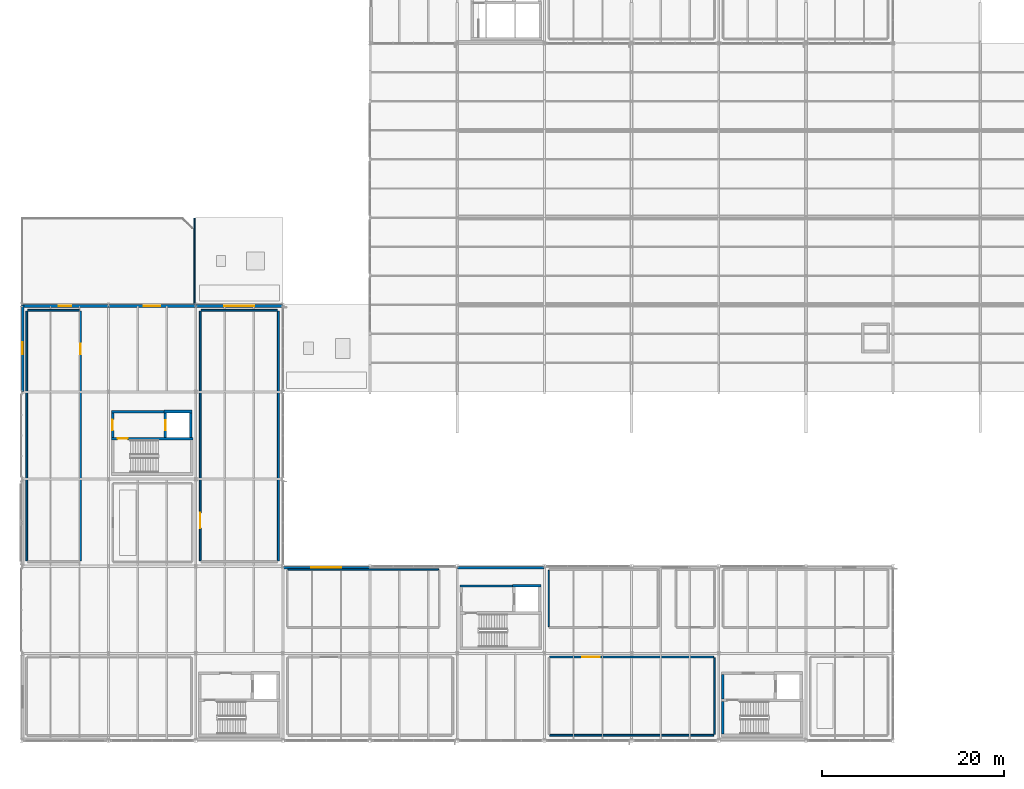
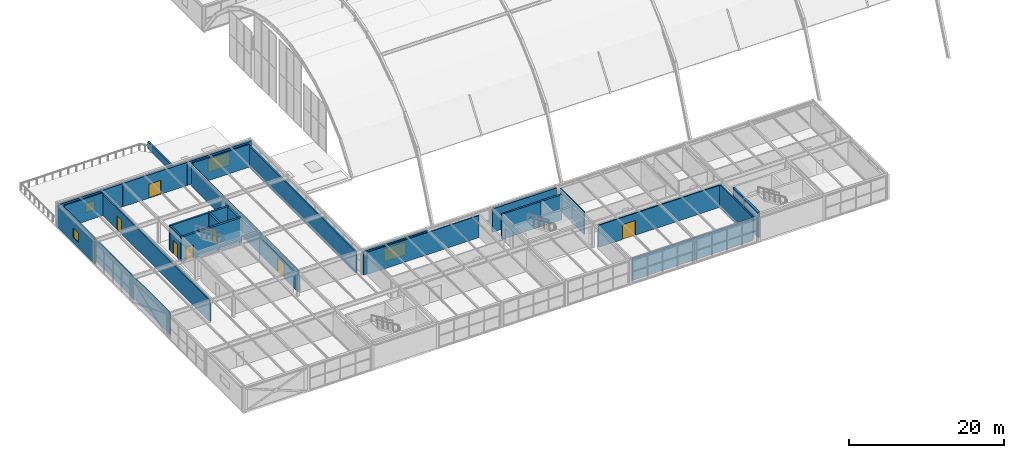
# One storey, part 117 of 126: 28 walls, 7 doors, 4 windows, 11 openings.
"""IFC4 building model written with IfcOpenShell, lengths in metres."""

from ifc_helpers import new_model, si_unit, direction, frame, frame_2d, origin, place, context, subcontext, project, spatial, rectangle, extrude, material, layer, layer_set, type_object, element, fill, save


model = new_model("IFC4")

# Units and contexts
model_context = context("Model", 3, precision=1e-05, world=origin(), true_north=direction((0.0, 1.0)))
body_context = subcontext(model_context, "Body", "Model", "MODEL_VIEW")
ifc_project = project(units=[si_unit("LENGTHUNIT", "METRE"), si_unit("AREAUNIT", "SQUARE_METRE"), si_unit("VOLUMEUNIT", "CUBIC_METRE"), si_unit("PLANEANGLEUNIT", "RADIAN"), si_unit("MASSUNIT", "GRAM", prefix="KILO")], contexts=[model_context])

# Site, building, storey
site_placement = place(None, origin())
site = spatial("IfcSite", under=ifc_project, at=site_placement, CompositionType="ELEMENT")
building_placement = place(site_placement, origin())
building = spatial("IfcBuilding", under=site, at=building_placement, Name="Coralgate Yard Interchange", CompositionType="ELEMENT")
storey_placement = place(building_placement, frame((0.0, 0.0, 10.5)))
storey = spatial("IfcBuildingStorey", under=building, at=storey_placement, Name="L02", CompositionType="ELEMENT", Elevation=10.5)

# Wall, opening, door
ifc_material_1 = material(Name="Concrete C40/50", Category="concrete")
ifc_layer_1 = layer(ifc_material_1, 0.300048828125)
ifc_layer_set_1 = layer_set([ifc_layer_1], Name="Concrete C40/50")
wall_type_1 = type_object("IfcWallType", Name="WAL-CW300", PredefinedType="SHEAR", material=ifc_layer_set_1)
wall_1_placement = place(storey_placement, frame((18.89990234375, 33.25, 0.0), z_axis=(0.0, 0.0, 1.0), x_axis=(-1.0, 0.0, 0.0)))
wall_1 = element("IfcWall", 1, at=wall_1_placement, inside=storey, type_object=wall_type_1, Name="C1 L02 stair north shear wall", PredefinedType="SHEAR", context=body_context, shape_type="SweptSolid", body=[
    extrude(rectangle(XDim=9.0, YDim=0.300048828125, at=frame_2d((4.5, 0.0))), origin(), (0.0, 0.0, 1.0), 3.949951171875),
])
opening_1_placement = place(wall_1_placement, frame((7.199951171875, 0.0, 0.0)))
opening_1 = element("IfcOpeningElement", 2, at=opening_1_placement, cuts=wall_1, Name="Opening FD-1", PredefinedType="OPENING", context=body_context, shape_type="SweptSolid", body=[
    extrude(rectangle(XDim=1.10009765625, YDim=2.14990234375, at=frame_2d((0.550048828125, 1.074951171875))), frame((0.0, 0.159912109375, 0.0), z_axis=(0.0, -1.0, 0.0), x_axis=(1.0, 0.0, 0.0)), (0.0, 0.0, 1.0), 0.320068359375),
])
ifc_material_2 = material(Name="Powder-coated steel fire door assembly", Category="steel")
door_type_1 = type_object("IfcDoorType", Name="DOR-FD-1", OperationType="NOTDEFINED", PredefinedType="DOOR", material=ifc_material_2)
door_1_placement = place(opening_1_placement, frame((1.10009765625, 0.0, 0.0), z_axis=(0.0, 0.0, 1.0), x_axis=(-1.0, 0.0, 0.0)))
door_1 = element("IfcDoor", 3, at=door_1_placement, inside=storey, type_object=door_type_1, Name="C1 L02 stair fire door", OperationType="SINGLE_SWING_LEFT", OverallHeight=2.14990234375, OverallWidth=1.10009765625, PredefinedType="DOOR", context=body_context, shape_type="SweptSolid", body=[
    extrude(rectangle(XDim=1.10009765625, YDim=2.14990234375, at=frame_2d((0.550048828125, 1.074951171875))), frame((0.0, 0.02490234375, 0.0), z_axis=(0.0, -1.0, 0.0), x_axis=(1.0, 0.0, 0.0)), (0.0, 0.0, 1.0), 0.050048828125),
])
fill(opening_1, door_1)

wall_2_placement = place(storey_placement, frame((15.85009765625, 36.10009765625, 0.0), z_axis=(0.0, 0.0, 1.0), x_axis=(0.0, -1.0, 0.0)))
wall_2 = element("IfcWall", 4, at=wall_2_placement, inside=storey, type_object=wall_type_1, Name="C1 L02 lift front shear wall", PredefinedType="SHEAR", context=body_context, shape_type="SweptSolid", body=[
    extrude(rectangle(XDim=2.7001953125, YDim=0.300048828125, at=frame_2d((1.35009765625, 0.0))), origin(), (0.0, 0.0, 1.0), 3.949951171875),
])
opening_2_placement = place(wall_2_placement, frame((0.800048828125, 0.0, 0.0)))
opening_2 = element("IfcOpeningElement", 5, at=opening_2_placement, cuts=wall_2, Name="Opening LD-1", PredefinedType="OPENING", context=body_context, shape_type="SweptSolid", body=[
    extrude(rectangle(XDim=1.10009765625, YDim=2.10009765625, at=frame_2d((0.550048828125, 1.050048828125))), frame((0.0, 0.159912109375, 0.0), z_axis=(0.0, -1.0, 0.0), x_axis=(1.0, 0.0, 0.0)), (0.0, 0.0, 1.0), 0.320068359375),
])
ifc_material_3 = material(Name="Brushed stainless steel firefighting lift landing door", Category="steel")
door_type_2 = type_object("IfcDoorType", Name="DOR-LD-1", OperationType="DOUBLE_DOOR_SLIDING", PredefinedType="DOOR", material=ifc_material_3)
door_2_placement = place(opening_2_placement, frame((1.10009765625, 0.0, 0.0), z_axis=(0.0, 0.0, 1.0), x_axis=(-1.0, 0.0, 0.0)))
door_2 = element("IfcDoor", 6, at=door_2_placement, inside=storey, type_object=door_type_2, Name="FFL-01 L02 sliding lift landing door", OperationType="DOUBLE_DOOR_SLIDING", OverallHeight=2.10009765625, OverallWidth=1.10009765625, PredefinedType="DOOR", context=body_context, shape_type="SweptSolid", body=[
    extrude(rectangle(XDim=1.10009765625, YDim=2.10009765625, at=frame_2d((0.550048828125, 1.050048828125))), frame((0.0, 0.02490234375, 0.0), z_axis=(0.0, -1.0, 0.0), x_axis=(1.0, 0.0, 0.0)), (0.0, 0.0, 1.0), 0.050048828125),
])
fill(opening_2, door_2)

# Walls
wall_3_placement = place(storey_placement, frame((18.64990234375, 33.39990234375, 0.0), z_axis=(0.0, 0.0, 1.0), x_axis=(0.0, 1.0, 0.0)))
element("IfcWall", 7, at=wall_3_placement, inside=storey, type_object=wall_type_1, Name="C1 L02 lift rear shear wall", PredefinedType="SHEAR", context=body_context, shape_type="SweptSolid", body=[
    extrude(rectangle(XDim=2.7001953125, YDim=0.300048828125, at=frame_2d((1.35009765625, 0.0))), origin(), (0.0, 0.0, 1.0), 3.949951171875),
])
wall_4_placement = place(storey_placement, frame((15.699951171875, 36.25, 0.0), z_axis=(0.0, 0.0, 1.0), x_axis=(1.0, 0.0, 0.0)))
element("IfcWall", 8, at=wall_4_placement, inside=storey, type_object=wall_type_1, Name="C1 L02 lift north shear wall", PredefinedType="SHEAR", context=body_context, shape_type="SweptSolid", body=[
    extrude(rectangle(XDim=3.10009765625, YDim=0.300048828125, at=frame_2d((1.550048828125, 0.0))), origin(), (0.0, 0.0, 1.0), 3.949951171875),
])
wall_5_placement = place(storey_placement, frame((54.10009765625, 17.050048828125, 0.0), z_axis=(0.0, 0.0, 1.0), x_axis=(1.0, 0.0, 0.0)))
element("IfcWall", 9, at=wall_5_placement, inside=storey, type_object=wall_type_1, Name="C2 L02 lift north shear wall", PredefinedType="SHEAR", context=body_context, shape_type="SweptSolid", body=[
    extrude(rectangle(XDim=3.099853515625, YDim=0.300048828125, at=frame_2d((1.5498046875, 0.0))), origin(), (0.0, 0.0, 1.0), 3.949951171875),
])
wall_6_placement = place(storey_placement, frame((77.25, 0.719970703125, 0.0), z_axis=(0.0, 0.0, 1.0), x_axis=(0.0, 1.0, 0.0)))
element("IfcWall", 10, at=wall_6_placement, inside=storey, type_object=wall_type_1, Name="C4 L02 stair west shear wall", PredefinedType="SHEAR", context=body_context, shape_type="SweptSolid", body=[
    extrude(rectangle(XDim=3.580078125, YDim=0.300048828125, at=frame_2d((1.7900390625, 0.0))), origin(), (0.0, 0.0, 1.0), 3.949951171875),
])

# Wall, opening, window
ifc_material_4 = material(Name="Precast concrete C40/50", Category="concrete")
ifc_layer_2 = layer(ifc_material_4, 0.280029296875)
ifc_layer_set_2 = layer_set([ifc_layer_2], Name="Precast concrete C40/50")
wall_type_2 = type_object("IfcWallType", Name="WAL-EW-280", PredefinedType="SOLIDWALL", material=ifc_layer_set_2)
wall_7_placement = place(storey_placement, frame((0.139892578125, 38.419921875, 0.0), z_axis=(0.0, 0.0, 1.0), x_axis=(0.0, 1.0, 0.0)))
wall_7 = element("IfcWall", 11, at=wall_7_placement, inside=storey, type_object=wall_type_2, Name="L02 exterior coastal wall W 0-4", PredefinedType="SOLIDWALL", context=body_context, shape_type="SweptSolid", body=[
    extrude(rectangle(XDim=9.56005859375, YDim=0.280029296875, at=frame_2d((4.780029296875, 0.0))), origin(), (0.0, 0.0, 1.0), 3.492919921875),
])
opening_3_placement = place(wall_7_placement, frame((4.10498046875, 0.0, 0.89990234375)))
opening_3 = element("IfcOpeningElement", 12, at=opening_3_placement, cuts=wall_7, Name="Opening W-15", PredefinedType="OPENING", context=body_context, shape_type="SweptSolid", body=[
    extrude(rectangle(XDim=1.35009765625, YDim=1.5, at=frame_2d((0.675048828125, 0.75))), frame((0.0, 0.14990234375, 0.0), z_axis=(0.0, -1.0, 0.0), x_axis=(1.0, 0.0, 0.0)), (0.0, 0.0, 1.0), 0.300048828125),
])
ifc_material_5 = material(Name="Thermally broken anodised aluminium and solar-control low-E glass", Category="aluminium")
window_type_1 = type_object("IfcWindowType", Name="WIN-W-15", PartitioningType="SINGLE_PANEL", PredefinedType="WINDOW", material=ifc_material_5)
window_1_placement = place(opening_3_placement, origin())
window_1 = element("IfcWindow", 13, at=window_1_placement, inside=storey, type_object=window_type_1, Name="L02 coastal facade window W-0-4", OverallHeight=1.5, OverallWidth=1.35009765625, PartitioningType="SINGLE_PANEL", PredefinedType="WINDOW", context=body_context, shape_type="SweptSolid", body=[
    extrude(rectangle(XDim=1.35009765625, YDim=1.5, at=frame_2d((0.675048828125, 0.75))), frame((0.0, 0.030029296875, 0.0), z_axis=(0.0, -1.0, 0.0), x_axis=(1.0, 0.0, 0.0)), (0.0, 0.0, 1.0), 0.06005859375),
])
fill(opening_3, window_1)

wall_8_placement = place(storey_placement, frame((0.02001953125, 47.860107421875, 0.0), z_axis=(0.0, 0.0, 1.0), x_axis=(1.0, 0.0, 0.0)))
wall_8 = element("IfcWall", 14, at=wall_8_placement, inside=storey, type_object=wall_type_2, Name="L02 exterior coastal wall N 0-4", PredefinedType="SOLIDWALL", context=body_context, shape_type="SweptSolid", body=[
    extrude(rectangle(XDim=9.56005859375, YDim=0.280029296875, at=frame_2d((4.780029296875, 0.0))), origin(), (0.0, 0.0, 1.0), 3.659912109375),
])
opening_4_placement = place(wall_8_placement, frame((4.10498046875, 0.0, 0.89990234375)))
opening_4 = element("IfcOpeningElement", 15, at=opening_4_placement, cuts=wall_8, Name="Opening W-15", PredefinedType="OPENING", context=body_context, shape_type="SweptSolid", body=[
    extrude(rectangle(XDim=1.35009765625, YDim=1.5, at=frame_2d((0.675048828125, 0.75))), frame((0.0, 0.14990234375, 0.0), z_axis=(0.0, -1.0, 0.0), x_axis=(1.0, 0.0, 0.0)), (0.0, 0.0, 1.0), 0.300048828125),
])
window_2_placement = place(opening_4_placement, origin())
window_2 = element("IfcWindow", 16, at=window_2_placement, inside=storey, type_object=window_type_1, Name="L02 coastal facade window N-0-4", OverallHeight=1.5, OverallWidth=1.35009765625, PartitioningType="SINGLE_PANEL", PredefinedType="WINDOW", context=body_context, shape_type="SweptSolid", body=[
    extrude(rectangle(XDim=1.35009765625, YDim=1.5, at=frame_2d((0.675048828125, 0.75))), frame((0.0, 0.030029296875, 0.0), z_axis=(0.0, -1.0, 0.0), x_axis=(1.0, 0.0, 0.0)), (0.0, 0.0, 1.0), 0.06005859375),
])
fill(opening_4, window_2)

# Wall, opening, door
wall_9_placement = place(storey_placement, frame((9.6201171875, 47.860107421875, 0.0), z_axis=(0.0, 0.0, 1.0), x_axis=(1.0, 0.0, 0.0)))
wall_9 = element("IfcWall", 17, at=wall_9_placement, inside=storey, type_object=wall_type_2, Name="L02 exterior coastal wall N 1-4", PredefinedType="SOLIDWALL", context=body_context, shape_type="SweptSolid", body=[
    extrude(rectangle(XDim=9.559814453125, YDim=0.280029296875, at=frame_2d((4.77978515625, 0.0))), origin(), (0.0, 0.0, 1.0), 3.659912109375),
])
opening_5_placement = place(wall_9_placement, frame((3.8798828125, 0.0, 0.0)))
opening_5 = element("IfcOpeningElement", 18, at=opening_5_placement, cuts=wall_9, Name="Opening VD-1", PredefinedType="OPENING", context=body_context, shape_type="SweptSolid", body=[
    extrude(rectangle(XDim=1.800048828125, YDim=2.199951171875, at=frame_2d((0.89990234375, 1.10009765625))), frame((0.0, 0.14990234375, 0.0), z_axis=(0.0, -1.0, 0.0), x_axis=(1.0, 0.0, 0.0)), (0.0, 0.0, 1.0), 0.300048828125),
])
ifc_material_6 = material(Name="Thermally broken aluminium coastal veranda double door", Category="aluminium")
door_type_3 = type_object("IfcDoorType", Name="DOR-VD-1", OperationType="NOTDEFINED", PredefinedType="DOOR", material=ifc_material_6)
door_3_placement = place(opening_5_placement, origin())
door_3 = element("IfcDoor", 19, at=door_3_placement, inside=storey, type_object=door_type_3, Name="L02 coastal veranda double door 1-4", OperationType="DOUBLE_DOOR_SINGLE_SWING", OverallHeight=2.199951171875, OverallWidth=1.800048828125, PredefinedType="DOOR", context=body_context, shape_type="SweptSolid", body=[
    extrude(rectangle(XDim=1.800048828125, YDim=2.199951171875, at=frame_2d((0.89990234375, 1.10009765625))), frame((0.0, 0.02490234375, 0.0), z_axis=(0.0, -1.0, 0.0), x_axis=(1.0, 0.0, 0.0)), (0.0, 0.0, 1.0), 0.050048828125),
])
fill(opening_5, door_3)

# Wall, opening, window
wall_10_placement = place(storey_placement, frame((19.219970703125, 47.860107421875, 0.0), z_axis=(0.0, 0.0, 1.0), x_axis=(1.0, 0.0, 0.0)))
wall_10 = element("IfcWall", 20, at=wall_10_placement, inside=storey, type_object=wall_type_2, Name="L02 exterior coastal wall N 2-4", PredefinedType="SOLIDWALL", context=body_context, shape_type="SweptSolid", body=[
    extrude(rectangle(XDim=9.56005859375, YDim=0.280029296875, at=frame_2d((4.780029296875, 0.0))), origin(), (0.0, 0.0, 1.0), 3.659912109375),
])
opening_6_placement = place(wall_10_placement, frame((3.1298828125, 0.0, 0.89990234375)))
opening_6 = element("IfcOpeningElement", 21, at=opening_6_placement, cuts=wall_10, Name="Opening W-21", PredefinedType="OPENING", context=body_context, shape_type="SweptSolid", body=[
    extrude(rectangle(XDim=3.300048828125, YDim=2.10009765625, at=frame_2d((1.64990234375, 1.050048828125))), frame((0.0, 0.14990234375, 0.0), z_axis=(0.0, -1.0, 0.0), x_axis=(1.0, 0.0, 0.0)), (0.0, 0.0, 1.0), 0.300048828125),
])
window_type_2 = type_object("IfcWindowType", Name="WIN-W-21", PartitioningType="SINGLE_PANEL", PredefinedType="WINDOW", material=ifc_material_5)
window_3_placement = place(opening_6_placement, origin())
window_3 = element("IfcWindow", 22, at=window_3_placement, inside=storey, type_object=window_type_2, Name="L02 coastal facade window N-2-4", OverallHeight=2.10009765625, OverallWidth=3.300048828125, PartitioningType="SINGLE_PANEL", PredefinedType="WINDOW", context=body_context, shape_type="SweptSolid", body=[
    extrude(rectangle(XDim=3.300048828125, YDim=2.10009765625, at=frame_2d((1.64990234375, 1.050048828125))), frame((0.0, 0.030029296875, 0.0), z_axis=(0.0, -1.0, 0.0), x_axis=(1.0, 0.0, 0.0)), (0.0, 0.0, 1.0), 0.06005859375),
])
fill(opening_6, window_3)

wall_11_placement = place(storey_placement, frame((28.820068359375, 19.06005859375, 0.0), z_axis=(0.0, 0.0, 1.0), x_axis=(1.0, 0.0, 0.0)))
wall_11 = element("IfcWall", 23, at=wall_11_placement, inside=storey, type_object=wall_type_2, Name="L02 exterior coastal wall N 3-1", PredefinedType="SOLIDWALL", context=body_context, shape_type="SweptSolid", body=[
    extrude(rectangle(XDim=9.559814453125, YDim=0.280029296875, at=frame_2d((4.77978515625, 0.0))), origin(), (0.0, 0.0, 1.0), 3.659912109375),
])
opening_7_placement = place(wall_11_placement, frame((3.1298828125, 0.0, 0.89990234375)))
opening_7 = element("IfcOpeningElement", 24, at=opening_7_placement, cuts=wall_11, Name="Opening W-21", PredefinedType="OPENING", context=body_context, shape_type="SweptSolid", body=[
    extrude(rectangle(XDim=3.300048828125, YDim=2.10009765625, at=frame_2d((1.64990234375, 1.050048828125))), frame((0.0, 0.14990234375, 0.0), z_axis=(0.0, -1.0, 0.0), x_axis=(1.0, 0.0, 0.0)), (0.0, 0.0, 1.0), 0.300048828125),
])
window_4_placement = place(opening_7_placement, origin())
window_4 = element("IfcWindow", 25, at=window_4_placement, inside=storey, type_object=window_type_2, Name="L02 coastal facade window N-3-1", OverallHeight=2.10009765625, OverallWidth=3.300048828125, PartitioningType="SINGLE_PANEL", PredefinedType="WINDOW", context=body_context, shape_type="SweptSolid", body=[
    extrude(rectangle(XDim=3.300048828125, YDim=2.10009765625, at=frame_2d((1.64990234375, 1.050048828125))), frame((0.0, 0.030029296875, 0.0), z_axis=(0.0, -1.0, 0.0), x_axis=(1.0, 0.0, 0.0)), (0.0, 0.0, 1.0), 0.06005859375),
])
fill(opening_7, window_4)

# Walls
wall_12_placement = place(storey_placement, frame((48.02001953125, 19.06005859375, 0.0), z_axis=(0.0, 0.0, 1.0), x_axis=(1.0, 0.0, 0.0)))
element("IfcWall", 26, at=wall_12_placement, inside=storey, type_object=wall_type_2, Name="L02 exterior coastal wall N 5-1", PredefinedType="SOLIDWALL", context=body_context, shape_type="SweptSolid", body=[
    extrude(rectangle(XDim=9.56005859375, YDim=0.280029296875, at=frame_2d((4.780029296875, 0.0))), origin(), (0.0, 0.0, 1.0), 3.659912109375),
])
ifc_layer_3 = layer(ifc_material_4, 0.18994140625)
ifc_layer_set_3 = layer_set([ifc_layer_3], Name="Precast concrete C40/50")
wall_type_3 = type_object("IfcWallType", Name="WAL-PR-190", PredefinedType="PARAPET", material=ifc_layer_set_3)
wall_13_placement = place(storey_placement, frame((19.06005859375, 48.10009765625, 0.0), z_axis=(0.0, 0.0, 1.0), x_axis=(0.0, 1.0, 0.0)))
element("IfcWall", 27, at=wall_13_placement, inside=storey, type_object=wall_type_3, Name="L02 veranda-to-roof precast parapet divider wall", PredefinedType="PARAPET", context=body_context, shape_type="SweptSolid", body=[
    extrude(rectangle(XDim=9.39990234375, YDim=0.18994140625, at=frame_2d((4.699951171875, 0.0))), origin(), (0.0, 0.0, 1.0), 1.10498046875),
])
ifc_material_7 = material(Name="Acoustic twin-stud office partition")
ifc_layer_4 = layer(ifc_material_7, 0.139892578125)
ifc_layer_set_4 = layer_set([ifc_layer_4], Name="Acoustic twin-stud office partition")
wall_type_4 = type_object("IfcWallType", Name="WAL-PW-140", PredefinedType="PARTITIONING", material=ifc_layer_set_4)
wall_14_placement = place(storey_placement, frame((29.340087890625, 18.830078125, 0.0), z_axis=(0.0, 0.0, 1.0), x_axis=(1.0, 0.0, 0.0)))
element("IfcWall", 28, at=wall_14_placement, inside=storey, type_object=wall_type_4, Name="Control Systems Engineering Support Room partition N", PredefinedType="PARTITIONING", context=body_context, shape_type="SweptSolid", body=[
    extrude(rectangle(XDim=16.619873046875, YDim=0.139892578125, at=frame_2d((8.31005859375, 0.0))), origin(), (0.0, 0.0, 1.0), 3.48291015625),
])
ifc_material_8 = material(Name="Moisture-resistant masonry washroom wall", Category="masonry")
ifc_layer_5 = layer(ifc_material_8, 0.14990234375)
ifc_layer_set_5 = layer_set([ifc_layer_5], Name="Moisture-resistant masonry washroom wall")
wall_type_5 = type_object("IfcWallType", Name="WAL-PW-150", PredefinedType="PLUMBINGWALL", material=ifc_layer_set_5)
wall_15_placement = place(storey_placement, frame((58.074951171875, 12.550048828125, 0.0), z_axis=(0.0, 0.0, 1.0), x_axis=(0.0, 1.0, 0.0)))
element("IfcWall", 29, at=wall_15_placement, inside=storey, type_object=wall_type_5, Name="L02 Operations Staff Washroom partition W", PredefinedType="PLUMBINGWALL", context=body_context, shape_type="SweptSolid", body=[
    extrude(rectangle(XDim=6.199951171875, YDim=0.14990234375, at=frame_2d((3.10009765625, 0.0))), origin(), (0.0, 0.0, 1.0), 3.590087890625),
])
ifc_material_9 = material(Name="Acoustic concrete blockwork", Category="masonry")
ifc_layer_6 = layer(ifc_material_9, 0.179931640625)
ifc_layer_set_6 = layer_set([ifc_layer_6], Name="Acoustic concrete blockwork")
wall_type_6 = type_object("IfcWallType", Name="WAL-PW-180", PredefinedType="PARTITIONING", material=ifc_layer_set_6)
wall_16_placement = place(storey_placement, frame((76.219970703125, 0.590087890625, 0.0), z_axis=(0.0, 0.0, 1.0), x_axis=(-1.0, 0.0, 0.0)))
element("IfcWall", 30, at=wall_16_placement, inside=storey, type_object=wall_type_6, Name="Emergency Incident Coordination Suite partition S", PredefinedType="PARTITIONING", context=body_context, shape_type="SweptSolid", body=[
    extrude(rectangle(XDim=18.0400390625, YDim=0.179931640625, at=frame_2d((9.02001953125, 0.0))), origin(), (0.0, 0.0, 1.0), 3.48291015625),
])

# Wall, opening, door
wall_17_placement = place(storey_placement, frame((58.179931640625, 9.2099609375, 0.0), z_axis=(0.0, 0.0, 1.0), x_axis=(1.0, 0.0, 0.0)))
wall_17 = element("IfcWall", 31, at=wall_17_placement, inside=storey, type_object=wall_type_6, Name="Emergency Incident Coordination Suite partition N", PredefinedType="PARTITIONING", context=body_context, shape_type="SweptSolid", body=[
    extrude(rectangle(XDim=18.0400390625, YDim=0.179931640625, at=frame_2d((9.02001953125, 0.0))), origin(), (0.0, 0.0, 1.0), 3.48291015625),
])
opening_8_placement = place(wall_17_placement, frame((3.60009765625, 0.0, 0.0)))
opening_8 = element("IfcOpeningElement", 32, at=opening_8_placement, cuts=wall_17, Name="Opening ID-21", PredefinedType="OPENING", context=body_context, shape_type="SweptSolid", body=[
    extrude(rectangle(XDim=1.89990234375, YDim=2.35009765625, at=frame_2d((0.949951171875, 1.175048828125))), frame((0.0, 0.099853515625, 0.0), z_axis=(0.0, -1.0, 0.0), x_axis=(1.0, 0.0, 0.0)), (0.0, 0.0, 1.0), 0.199951171875),
])
ifc_material_10 = material(Name="Briefing and conference double door")
door_type_4 = type_object("IfcDoorType", Name="DOR-ID-21", OperationType="NOTDEFINED", PredefinedType="DOOR", material=ifc_material_10)
door_4_placement = place(opening_8_placement, origin())
door_4 = element("IfcDoor", 33, at=door_4_placement, inside=storey, type_object=door_type_4, Name="Emergency Incident Coordination Suite door", OperationType="DOUBLE_DOOR_SINGLE_SWING", OverallHeight=2.35009765625, OverallWidth=1.89990234375, PredefinedType="DOOR", context=body_context, shape_type="SweptSolid", body=[
    extrude(rectangle(XDim=1.89990234375, YDim=2.35009765625, at=frame_2d((0.949951171875, 1.175048828125))), frame((0.0, 0.02490234375, 0.0), z_axis=(0.0, -1.0, 0.0), x_axis=(1.0, 0.0, 0.0)), (0.0, 0.0, 1.0), 0.050048828125),
])
fill(opening_8, door_4)

# Walls
wall_18_placement = place(storey_placement, frame((76.31005859375, 9.1201171875, 0.0), z_axis=(0.0, 0.0, 1.0), x_axis=(0.0, -1.0, 0.0)))
element("IfcWall", 34, at=wall_18_placement, inside=storey, type_object=wall_type_6, Name="Emergency Incident Coordination Suite partition E", PredefinedType="PARTITIONING", context=body_context, shape_type="SweptSolid", body=[
    extrude(rectangle(XDim=8.440185546875, YDim=0.179931640625, at=frame_2d((4.22021484375, 0.0))), origin(), (0.0, 0.0, 1.0), 3.590087890625),
])
ifc_material_11 = material(Name="Concrete blockwork masonry", Category="masonry")
ifc_layer_7 = layer(ifc_material_11, 0.199951171875)
ifc_layer_set_7 = layer_set([ifc_layer_7], Name="Concrete blockwork masonry")
wall_type_7 = type_object("IfcWallType", Name="WAL-PW-200", PredefinedType="PARTITIONING", material=ifc_layer_set_7)
wall_19_placement = place(storey_placement, frame((19.800048828125, 47.39990234375, 0.0), z_axis=(0.0, 0.0, 1.0), x_axis=(1.0, 0.0, 0.0)))
element("IfcWall", 35, at=wall_19_placement, inside=storey, type_object=wall_type_7, Name="Central Chiller and Air-Handling Plant Room partition N", PredefinedType="PARTITIONING", context=body_context, shape_type="SweptSolid", body=[
    extrude(rectangle(XDim=8.39990234375, YDim=0.199951171875, at=frame_2d((4.199951171875, 0.0))), origin(), (0.0, 0.0, 1.0), 3.590087890625),
])

# Wall, opening, door
wall_20_placement = place(storey_placement, frame((19.699951171875, 19.800048828125, 0.0), z_axis=(0.0, 0.0, 1.0), x_axis=(0.0, 1.0, 0.0)))
wall_20 = element("IfcWall", 36, at=wall_20_placement, inside=storey, type_object=wall_type_7, Name="Central Chiller and Air-Handling Plant Room partition W", PredefinedType="PARTITIONING", context=body_context, shape_type="SweptSolid", body=[
    extrude(rectangle(XDim=27.5, YDim=0.199951171875, at=frame_2d((13.75, 0.0))), origin(), (0.0, 0.0, 1.0), 3.33251953125),
])
opening_9_placement = place(wall_20_placement, frame((3.60009765625, 0.0, 0.0)))
opening_9 = element("IfcOpeningElement", 37, at=opening_9_placement, cuts=wall_20, Name="Opening ID-20", PredefinedType="OPENING", context=body_context, shape_type="SweptSolid", body=[
    extrude(rectangle(XDim=1.699951171875, YDim=2.300048828125, at=frame_2d((0.85009765625, 1.14990234375))), frame((0.0, 0.10986328125, 0.0), z_axis=(0.0, -1.0, 0.0), x_axis=(1.0, 0.0, 0.0)), (0.0, 0.0, 1.0), 0.219970703125),
])
ifc_material_12 = material(Name="Heavy plant room double fire door")
door_type_5 = type_object("IfcDoorType", Name="DOR-ID-20", OperationType="NOTDEFINED", PredefinedType="DOOR", material=ifc_material_12)
door_5_placement = place(opening_9_placement, origin())
door_5 = element("IfcDoor", 38, at=door_5_placement, inside=storey, type_object=door_type_5, Name="Central Chiller and Air-Handling Plant Room door", OperationType="DOUBLE_DOOR_SINGLE_SWING", OverallHeight=2.300048828125, OverallWidth=1.699951171875, PredefinedType="DOOR", context=body_context, shape_type="SweptSolid", body=[
    extrude(rectangle(XDim=1.699951171875, YDim=2.300048828125, at=frame_2d((0.85009765625, 1.14990234375))), frame((0.0, 0.02490234375, 0.0), z_axis=(0.0, -1.0, 0.0), x_axis=(1.0, 0.0, 0.0)), (0.0, 0.0, 1.0), 0.050048828125),
])
fill(opening_9, door_5)

# Walls
wall_21_placement = place(storey_placement, frame((28.300048828125, 47.300048828125, 0.0), z_axis=(0.0, 0.0, 1.0), x_axis=(0.0, -1.0, 0.0)))
element("IfcWall", 39, at=wall_21_placement, inside=storey, type_object=wall_type_7, Name="Central Chiller and Air-Handling Plant Room partition E", PredefinedType="PARTITIONING", context=body_context, shape_type="SweptSolid", body=[
    extrude(rectangle(XDim=27.5, YDim=0.199951171875, at=frame_2d((13.75, 0.0))), origin(), (0.0, 0.0, 1.0), 3.33251953125),
])
wall_22_placement = place(storey_placement, frame((0.699951171875, 47.39990234375, 0.0), z_axis=(0.0, 0.0, 1.0), x_axis=(1.0, 0.0, 0.0)))
element("IfcWall", 40, at=wall_22_placement, inside=storey, type_object=wall_type_7, Name="Control Room Redundant UPS Plant partition N", PredefinedType="PARTITIONING", context=body_context, shape_type="SweptSolid", body=[
    extrude(rectangle(XDim=5.699951171875, YDim=0.199951171875, at=frame_2d((2.85009765625, 0.0))), origin(), (0.0, 0.0, 1.0), 3.590087890625),
])
wall_23_placement = place(storey_placement, frame((0.60009765625, 19.800048828125, 0.0), z_axis=(0.0, 0.0, 1.0), x_axis=(0.0, 1.0, 0.0)))
element("IfcWall", 41, at=wall_23_placement, inside=storey, type_object=wall_type_7, Name="Control Room Redundant UPS Plant partition W", PredefinedType="PARTITIONING", context=body_context, shape_type="SweptSolid", body=[
    extrude(rectangle(XDim=27.5, YDim=0.199951171875, at=frame_2d((13.75, 0.0))), origin(), (0.0, 0.0, 1.0), 3.33251953125),
])

# Wall, opening, door
wall_24_placement = place(storey_placement, frame((6.5, 47.300048828125, 0.0), z_axis=(0.0, 0.0, 1.0), x_axis=(0.0, -1.0, 0.0)))
wall_24 = element("IfcWall", 42, at=wall_24_placement, inside=storey, type_object=wall_type_7, Name="Control Room Redundant UPS Plant partition E", PredefinedType="PARTITIONING", context=body_context, shape_type="SweptSolid", body=[
    extrude(rectangle(XDim=27.5, YDim=0.199951171875, at=frame_2d((13.75, 0.0))), origin(), (0.0, 0.0, 1.0), 3.33251953125),
])
opening_10_placement = place(wall_24_placement, frame((3.60009765625, 0.0, 0.0)))
opening_10 = element("IfcOpeningElement", 43, at=opening_10_placement, cuts=wall_24, Name="Opening ID-15", PredefinedType="OPENING", context=body_context, shape_type="SweptSolid", body=[
    extrude(rectangle(XDim=1.14990234375, YDim=2.199951171875, at=frame_2d((0.574951171875, 1.10009765625))), frame((0.0, 0.10986328125, 0.0), z_axis=(0.0, -1.0, 0.0), x_axis=(1.0, 0.0, 0.0)), (0.0, 0.0, 1.0), 0.219970703125),
])
ifc_material_13 = material(Name="Steel electrical riser and UPS door", Category="steel")
door_type_6 = type_object("IfcDoorType", Name="DOR-ID-15", OperationType="NOTDEFINED", PredefinedType="DOOR", material=ifc_material_13)
door_6_placement = place(opening_10_placement, origin())
door_6 = element("IfcDoor", 44, at=door_6_placement, inside=storey, type_object=door_type_6, Name="Control Room Redundant UPS Plant door", OperationType="SINGLE_SWING_RIGHT", OverallHeight=2.199951171875, OverallWidth=1.14990234375, PredefinedType="DOOR", context=body_context, shape_type="SweptSolid", body=[
    extrude(rectangle(XDim=1.14990234375, YDim=2.199951171875, at=frame_2d((0.574951171875, 1.10009765625))), frame((0.0, 0.02490234375, 0.0), z_axis=(0.0, -1.0, 0.0), x_axis=(1.0, 0.0, 0.0)), (0.0, 0.0, 1.0), 0.050048828125),
])
fill(opening_10, door_6)

# Wall
ifc_layer_8 = layer(ifc_material_1, 0.25)
ifc_layer_set_8 = layer_set([ifc_layer_8], Name="Concrete C40/50")
wall_type_8 = type_object("IfcWallType", Name="WAL-SW250", PredefinedType="SHEAR", material=ifc_layer_set_8)
wall_25_placement = place(storey_placement, frame((15.699951171875, 36.22509765625, 0.0), z_axis=(0.0, 0.0, 1.0), x_axis=(-1.0, 0.0, 0.0)))
element("IfcWall", 45, at=wall_25_placement, inside=storey, type_object=wall_type_8, Name="C1 L02 lobby north fire wall", PredefinedType="SHEAR", context=body_context, shape_type="SweptSolid", body=[
    extrude(rectangle(XDim=5.77490234375, YDim=0.25, at=frame_2d((2.887451171875, 0.0))), origin(), (0.0, 0.0, 1.0), 3.949951171875),
])

# Wall, opening, door
wall_26_placement = place(storey_placement, frame((10.050048828125, 33.39990234375, 0.0), z_axis=(0.0, 0.0, 1.0), x_axis=(0.0, 1.0, 0.0)))
wall_26 = element("IfcWall", 46, at=wall_26_placement, inside=storey, type_object=wall_type_8, Name="C1 L02 lobby west fire wall", PredefinedType="SHEAR", context=body_context, shape_type="SweptSolid", body=[
    extrude(rectangle(XDim=2.7001953125, YDim=0.25, at=frame_2d((1.35009765625, 0.0))), origin(), (0.0, 0.0, 1.0), 3.949951171875),
])
opening_11_placement = place(wall_26_placement, frame((0.75, 0.0, 0.0)))
opening_11 = element("IfcOpeningElement", 47, at=opening_11_placement, cuts=wall_26, Name="Opening FD-2", PredefinedType="OPENING", context=body_context, shape_type="SweptSolid", body=[
    extrude(rectangle(XDim=1.199951171875, YDim=2.14990234375, at=frame_2d((0.60009765625, 1.074951171875))), frame((0.0, 0.135009765625, 0.0), z_axis=(0.0, -1.0, 0.0), x_axis=(1.0, 0.0, 0.0)), (0.0, 0.0, 1.0), 0.27001953125),
])
door_type_7 = type_object("IfcDoorType", Name="DOR-FD-2", OperationType="NOTDEFINED", PredefinedType="DOOR", material=ifc_material_2)
door_7_placement = place(opening_11_placement, frame((1.199951171875, 0.0, 0.0), z_axis=(0.0, 0.0, 1.0), x_axis=(-1.0, 0.0, 0.0)))
door_7 = element("IfcDoor", 48, at=door_7_placement, inside=storey, type_object=door_type_7, Name="C1 L02 lobby fire door", OperationType="SINGLE_SWING_RIGHT", OverallHeight=2.14990234375, OverallWidth=1.199951171875, PredefinedType="DOOR", context=body_context, shape_type="SweptSolid", body=[
    extrude(rectangle(XDim=1.199951171875, YDim=2.14990234375, at=frame_2d((0.60009765625, 1.074951171875))), frame((0.0, 0.02490234375, 0.0), z_axis=(0.0, -1.0, 0.0), x_axis=(1.0, 0.0, 0.0)), (0.0, 0.0, 1.0), 0.050048828125),
])
fill(opening_11, door_7)

# Walls
wall_27_placement = place(storey_placement, frame((54.10009765625, 17.02490234375, 0.0), z_axis=(0.0, 0.0, 1.0), x_axis=(-1.0, 0.0, 0.0)))
element("IfcWall", 49, at=wall_27_placement, inside=storey, type_object=wall_type_8, Name="C2 L02 lobby north fire wall", PredefinedType="SHEAR", context=body_context, shape_type="SweptSolid", body=[
    extrude(rectangle(XDim=5.775146484375, YDim=0.25, at=frame_2d((2.8876953125, 0.0))), origin(), (0.0, 0.0, 1.0), 3.949951171875),
])
wall_28_placement = place(storey_placement, frame((77.25, 4.60009765625, 0.0), z_axis=(0.0, 0.0, 1.0), x_axis=(0.0, 1.0, 0.0)))
element("IfcWall", 50, at=wall_28_placement, inside=storey, type_object=wall_type_8, Name="C4 L02 lobby west fire wall", PredefinedType="SHEAR", context=body_context, shape_type="SweptSolid", body=[
    extrude(rectangle(XDim=2.699951171875, YDim=0.25, at=frame_2d((1.35009765625, 0.0))), origin(), (0.0, 0.0, 1.0), 3.949951171875),
])

save(model, "model.ifc")
